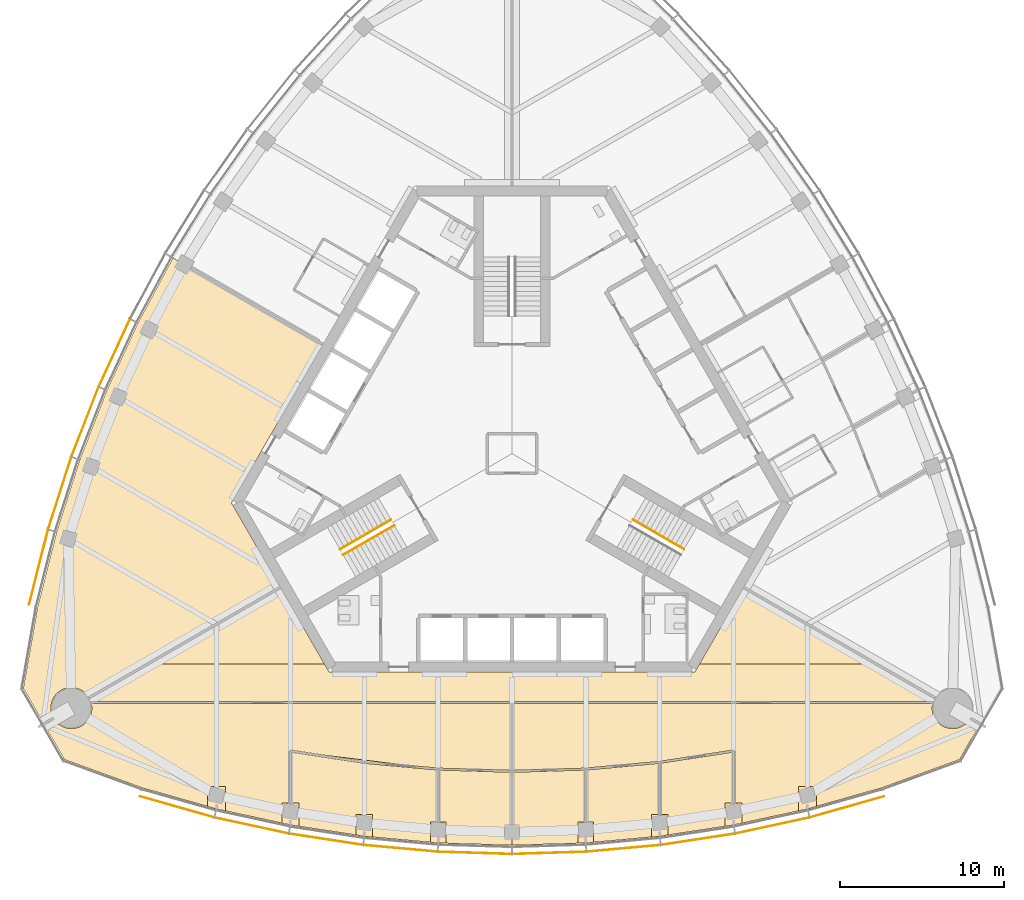
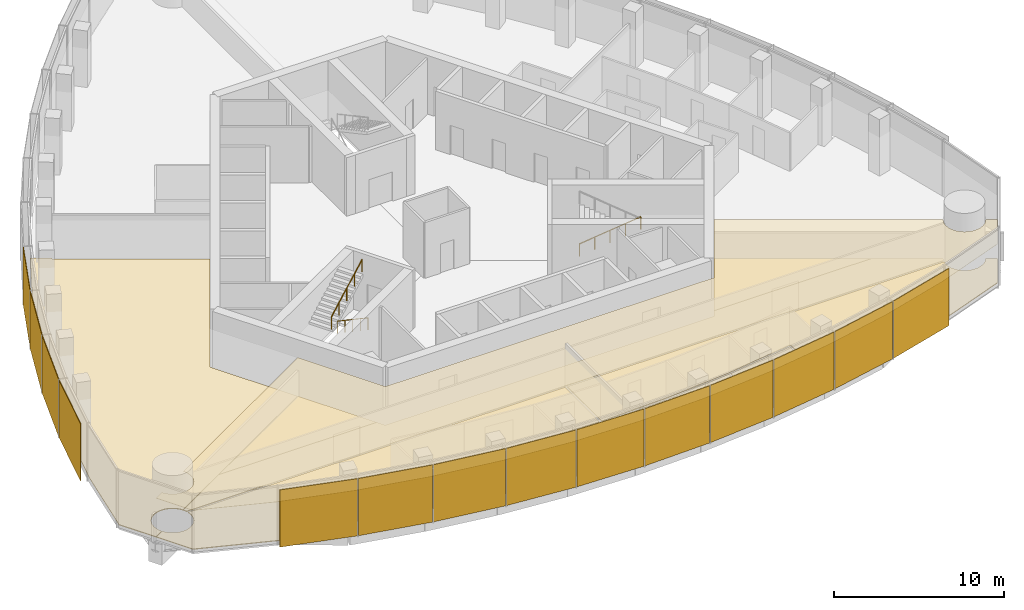
# One storey, part 12 of 16: 14 shading devices, 12 coverings, 3 railings.
"""IFC4 building model written with IfcOpenShell, lengths in metres."""

from ifc_helpers import new_model, si_unit, direction, frame, origin, origin_2d, place, context, subcontext, project, spatial, polyline, rectangle, circle, outline, extrude, material, layer, layer_set, type_object, element, save


model = new_model("IFC4")

# Units and contexts
model_context = context("Model", 3, precision=1e-05, world=origin(), true_north=direction((0.0, 1.0)))
body_context = subcontext(model_context, "Body", "Model", "MODEL_VIEW")
ifc_project = project(units=[si_unit("LENGTHUNIT", "METRE"), si_unit("AREAUNIT", "SQUARE_METRE"), si_unit("VOLUMEUNIT", "CUBIC_METRE"), si_unit("PLANEANGLEUNIT", "RADIAN"), si_unit("MASSUNIT", "GRAM", prefix="KILO")], contexts=[model_context])

# Site, building, storey
site_placement = place(None, origin())
site = spatial("IfcSite", under=ifc_project, at=site_placement, CompositionType="ELEMENT")
building_placement = place(site_placement, origin())
building = spatial("IfcBuilding", under=site, at=building_placement, Name="Trefoil Bronze Tower", CompositionType="ELEMENT")
storey_placement = place(building_placement, frame((0.0, 0.0, 318.300048828125)))
storey = spatial("IfcBuildingStorey", under=building, at=storey_placement, Name="L73", CompositionType="ELEMENT", Elevation=318.300048828125)

# Shading devices
ifc_material_1 = material(Name="Perforated bronze sheet", Category="bronze")
ifc_layer_1 = layer(ifc_material_1, 0.0400390625)
ifc_layer_set_1 = layer_set([ifc_layer_1], Name="Bronze solar screen panel")
shading_device_type = type_object("IfcShadingDeviceType", Name="Bronze solar screen panel", PredefinedType="SHUTTER", material=ifc_layer_set_1)
shading_device_1_placement = place(storey_placement, frame((-20.42138671875, -21.515625, 0.0498046875), z_axis=(0.0, 0.0, 1.0), x_axis=(0.962097746943, -0.272704831875, 0.0)))
element("IfcShadingDevice", 1, at=shading_device_1_placement, inside=storey, type_object=shading_device_type, Name="Solar screen CW-A L73 F1 bay 1", PredefinedType="SHUTTER", context=body_context, shape_type="SweptSolid", body=[
    extrude(rectangle(XDim=4.697509765625, YDim=0.0400390625, at=origin_2d()), origin(), (0.0, 0.0, 1.0), 4.10009765625),
])
shading_device_2_placement = place(storey_placement, frame((-15.864501953125, -22.65625, 0.0498046875), z_axis=(0.0, 0.0, 1.0), x_axis=(0.977303138829, -0.211845639168, 0.0)))
element("IfcShadingDevice", 2, at=shading_device_2_placement, inside=storey, type_object=shading_device_type, Name="Solar screen CW-A L73 F1 bay 2", PredefinedType="SHUTTER", context=body_context, shape_type="SweptSolid", body=[
    extrude(rectangle(XDim=4.574462890625, YDim=0.0400390625, at=origin_2d()), origin(), (0.0, 0.0, 1.0), 4.10009765625),
])
shading_device_3_placement = place(storey_placement, frame((-11.331787109375, -23.494384765625, 0.0498046875), z_axis=(0.0, 0.0, 1.0), x_axis=(0.988485337216, -0.151316681529, 0.0)))
element("IfcShadingDevice", 3, at=shading_device_3_placement, inside=storey, type_object=shading_device_type, Name="Solar screen CW-A L73 F1 bay 3", PredefinedType="SHUTTER", context=body_context, shape_type="SweptSolid", body=[
    extrude(rectangle(XDim=4.5224609375, YDim=0.0400390625, at=origin_2d()), origin(), (0.0, 0.0, 1.0), 4.10009765625),
])
shading_device_4_placement = place(storey_placement, frame((-6.799072265625, -24.048095703125, 0.0498046875), z_axis=(0.0, 0.0, 1.0), x_axis=(0.99587011625, -0.090789380212, 0.0)))
element("IfcShadingDevice", 4, at=shading_device_4_placement, inside=storey, type_object=shading_device_type, Name="Solar screen CW-A L73 F1 bay 4", PredefinedType="SHUTTER", context=body_context, shape_type="SweptSolid", body=[
    extrude(rectangle(XDim=4.48876953125, YDim=0.0400390625, at=origin_2d()), origin(), (0.0, 0.0, 1.0), 4.10009765625),
])
for number, where, z_axis, x_axis, name in (
    (5, (-2.266357421875, -24.3232421875, 0.0498046875), (0.0, 0.0, 1.0), (0.999541969785, -0.030263024264, 0.0), "Solar screen CW-A L73 F1 bay 5"),
    (6, (2.266357421875, -24.3232421875, 0.0498046875), (0.0, 0.0, 1.0), (0.999541969785, 0.030263024264, 0.0), "Solar screen CW-A L73 F1 bay 6"),
):
    element("IfcShadingDevice", number, at=place(storey_placement, frame(where, z_axis=z_axis, x_axis=x_axis)), inside=storey, type_object=shading_device_type, Name=name, PredefinedType="SHUTTER", context=body_context, shape_type="SweptSolid", body=[
        extrude(rectangle(XDim=4.47216796875, YDim=0.0400390625, at=origin_2d()), origin(), (0.0, 0.0, 1.0), 4.10009765625),
    ])
shading_device_5_placement = place(storey_placement, frame((6.799072265625, -24.048095703125, 0.0498046875), z_axis=(0.0, 0.0, 1.0), x_axis=(0.99587011625, 0.090789380212, 0.0)))
element("IfcShadingDevice", 7, at=shading_device_5_placement, inside=storey, type_object=shading_device_type, Name="Solar screen CW-A L73 F1 bay 7", PredefinedType="SHUTTER", context=body_context, shape_type="SweptSolid", body=[
    extrude(rectangle(XDim=4.48876953125, YDim=0.0400390625, at=origin_2d()), origin(), (0.0, 0.0, 1.0), 4.10009765625),
])
shading_device_6_placement = place(storey_placement, frame((11.331787109375, -23.494384765625, 0.0498046875), z_axis=(0.0, 0.0, 1.0), x_axis=(0.988485337216, 0.151316681529, 0.0)))
element("IfcShadingDevice", 8, at=shading_device_6_placement, inside=storey, type_object=shading_device_type, Name="Solar screen CW-A L73 F1 bay 8", PredefinedType="SHUTTER", context=body_context, shape_type="SweptSolid", body=[
    extrude(rectangle(XDim=4.5224609375, YDim=0.0400390625, at=origin_2d()), origin(), (0.0, 0.0, 1.0), 4.10009765625),
])
shading_device_7_placement = place(storey_placement, frame((15.864501953125, -22.65625, 0.0498046875), z_axis=(0.0, 0.0, 1.0), x_axis=(0.977303138829, 0.211845639168, 0.0)))
element("IfcShadingDevice", 9, at=shading_device_7_placement, inside=storey, type_object=shading_device_type, Name="Solar screen CW-A L73 F1 bay 9", PredefinedType="SHUTTER", context=body_context, shape_type="SweptSolid", body=[
    extrude(rectangle(XDim=4.574462890625, YDim=0.0400390625, at=origin_2d()), origin(), (0.0, 0.0, 1.0), 4.10009765625),
])
shading_device_8_placement = place(storey_placement, frame((20.42138671875, -21.515625, 0.0498046875), z_axis=(0.0, 0.0, 1.0), x_axis=(0.962097746943, 0.272704831875, 0.0)))
element("IfcShadingDevice", 10, at=shading_device_8_placement, inside=storey, type_object=shading_device_type, Name="Solar screen CW-A L73 F1 bay 10", PredefinedType="SHUTTER", context=body_context, shape_type="SweptSolid", body=[
    extrude(rectangle(XDim=4.697509765625, YDim=0.0400390625, at=origin_2d()), origin(), (0.0, 0.0, 1.0), 4.10009765625),
])
shading_device_9_placement = place(storey_placement, frame((-24.2255859375, 6.135986328125, 0.0498046875), z_axis=(0.0, 0.0, 1.0), x_axis=(-0.419309148468, -0.907843509649, 0.0)))
element("IfcShadingDevice", 11, at=shading_device_9_placement, inside=storey, type_object=shading_device_type, Name="Solar screen CW-A L73 F3 bay 7", PredefinedType="SHUTTER", context=body_context, shape_type="SweptSolid", body=[
    extrude(rectangle(XDim=4.48876953125, YDim=0.0400390625, at=origin_2d()), origin(), (0.0, 0.0, 1.0), 4.10009765625),
])
shading_device_10_placement = place(storey_placement, frame((-26.0126953125, 1.93359375, 0.0498046875), z_axis=(0.0, 0.0, 1.0), x_axis=(-0.363198578387, -0.931711754062, 0.0)))
element("IfcShadingDevice", 12, at=shading_device_10_placement, inside=storey, type_object=shading_device_type, Name="Solar screen CW-A L73 F3 bay 8", PredefinedType="SHUTTER", context=body_context, shape_type="SweptSolid", body=[
    extrude(rectangle(XDim=4.5224609375, YDim=0.0400390625, at=origin_2d()), origin(), (0.0, 0.0, 1.0), 4.10009765625),
])
shading_device_11_placement = place(storey_placement, frame((-27.55322265625, -2.410888671875, 0.0498046875), z_axis=(0.0, 0.0, 1.0), x_axis=(-0.305187864214, -0.952292165009, 0.0)))
element("IfcShadingDevice", 13, at=shading_device_11_placement, inside=storey, type_object=shading_device_type, Name="Solar screen CW-A L73 F3 bay 9", PredefinedType="SHUTTER", context=body_context, shape_type="SweptSolid", body=[
    extrude(rectangle(XDim=4.574462890625, YDim=0.0400390625, at=origin_2d()), origin(), (0.0, 0.0, 1.0), 4.10009765625),
])
shading_device_12_placement = place(storey_placement, frame((-28.843994140625, -6.927490234375, 0.0498046875), z_axis=(0.0, 0.0, 1.0), x_axis=(-0.244879561333, -0.969553505713, 0.0)))
element("IfcShadingDevice", 14, at=shading_device_12_placement, inside=storey, type_object=shading_device_type, Name="Solar screen CW-A L73 F3 bay 10", PredefinedType="SHUTTER", context=body_context, shape_type="SweptSolid", body=[
    extrude(rectangle(XDim=4.697509765625, YDim=0.0400390625, at=origin_2d()), origin(), (0.0, 0.0, 1.0), 4.10009765625),
])

# Railings
ifc_material_2 = material(Name="Steel handrail", Category="steel")
railing_type = type_object("IfcRailingType", Name="Handrail 900", PredefinedType="HANDRAIL", material=ifc_material_2)
railing_1_placement = place(storey_placement, frame((7.365966796875, -4.021728515625, 0.161376953125)))
element("IfcRailing", 15, at=railing_1_placement, inside=storey, type_object=railing_type, Name="Handrail ST1 flight 1 L73", PredefinedType="HANDRAIL", context=body_context, shape_type="SweptSolid", body=[
    extrude(circle(Radius=0.02392578125, at=origin_2d()), frame((0.0, 0.0, 0.8759765625), z_axis=(0.76250339821, -0.440245697338, 0.474101564745), x_axis=(0.500012057535, 0.866018442252, 0.0)), (0.0, 0.0, 1.0), 4.088623046875),
    extrude(circle(Radius=0.02099609375, at=origin_2d()), origin(), (0.0, 0.0, 1.0), 0.851806640625),
    extrude(circle(Radius=0.02099609375, at=origin_2d()), frame((0.779296875, -0.449951171875, 0.484619140625)), (0.0, 0.0, 1.0), 0.851806640625),
    extrude(circle(Radius=0.02099609375, at=origin_2d()), frame((1.558837890625, -0.89990234375, 0.96923828125)), (0.0, 0.0, 1.0), 0.851806640625),
    extrude(circle(Radius=0.02099609375, at=origin_2d()), frame((2.33837890625, -1.35009765625, 1.453857421875)), (0.0, 0.0, 1.0), 0.851806640625),
    extrude(circle(Radius=0.02099609375, at=origin_2d()), frame((3.11767578125, -1.800048828125, 1.9384765625)), (0.0, 0.0, 1.0), 0.851806640625),
])
railing_2_placement = place(storey_placement, frame((-7.166015625, -4.3681640625, 0.161376953125)))
element("IfcRailing", 16, at=railing_2_placement, inside=storey, type_object=railing_type, Name="Handrail ST3 flight 1 L73", PredefinedType="HANDRAIL", context=body_context, shape_type="SweptSolid", body=[
    extrude(circle(Radius=0.02392578125, at=origin_2d()), frame((0.0, 0.0, 0.8759765625), z_axis=(-0.76250339821, -0.440245697338, 0.474101564745), x_axis=(0.500012057535, -0.866018442252, 0.0)), (0.0, 0.0, 1.0), 4.088623046875),
    extrude(circle(Radius=0.02099609375, at=origin_2d()), origin(), (0.0, 0.0, 1.0), 0.851806640625),
    extrude(circle(Radius=0.02099609375, at=origin_2d()), frame((-0.779296875, -0.449951171875, 0.484619140625)), (0.0, 0.0, 1.0), 0.851806640625),
    extrude(circle(Radius=0.02099609375, at=origin_2d()), frame((-1.558837890625, -0.89990234375, 0.96923828125)), (0.0, 0.0, 1.0), 0.851806640625),
    extrude(circle(Radius=0.02099609375, at=origin_2d()), frame((-2.33837890625, -1.35009765625, 1.453857421875)), (0.0, 0.0, 1.0), 0.851806640625),
    extrude(circle(Radius=0.02099609375, at=origin_2d()), frame((-3.11767578125, -1.800048828125, 1.9384765625)), (0.0, 0.0, 1.0), 0.851806640625),
])
railing_3_placement = place(storey_placement, frame((-10.483642578125, -5.82177734375, 2.261474609375)))
element("IfcRailing", 17, at=railing_3_placement, inside=storey, type_object=railing_type, Name="Handrail ST3 flight 2 L73", PredefinedType="HANDRAIL", context=body_context, shape_type="SweptSolid", body=[
    extrude(circle(Radius=0.02392578125, at=origin_2d()), frame((0.0, 0.0, 0.8759765625), z_axis=(0.76250339821, 0.440245697338, 0.474101564745), x_axis=(-0.500012057535, 0.866018442252, 0.0)), (0.0, 0.0, 1.0), 4.088623046875),
    extrude(circle(Radius=0.02099609375, at=origin_2d()), origin(), (0.0, 0.0, 1.0), 0.851806640625),
    extrude(circle(Radius=0.02099609375, at=origin_2d()), frame((0.779296875, 0.449951171875, 0.484619140625)), (0.0, 0.0, 1.0), 0.851806640625),
    extrude(circle(Radius=0.02099609375, at=origin_2d()), frame((1.558837890625, 0.89990234375, 0.96923828125)), (0.0, 0.0, 1.0), 0.851806640625),
    extrude(circle(Radius=0.02099609375, at=origin_2d()), frame((2.33837890625, 1.35009765625, 1.453857421875)), (0.0, 0.0, 1.0), 0.851806640625),
    extrude(circle(Radius=0.02099609375, at=origin_2d()), frame((3.11767578125, 1.800048828125, 1.9384765625)), (0.0, 0.0, 1.0), 0.851806640625),
])

# Coverings
ifc_material_3 = material(Name="Acoustic ceiling panels", Category="mineral fibre")
ifc_layer_2 = layer(ifc_material_3, 0.02001953125)
ifc_layer_set_2 = layer_set([ifc_layer_2], Name="Office ceiling 20")
covering_type_1 = type_object("IfcCoveringType", Name="Office ceiling 20", PredefinedType="CEILING", material=ifc_layer_set_2)
covering_1_placement = place(storey_placement, frame((0.0, 0.0, 2.89990234375)))
element("IfcCovering", 18, at=covering_1_placement, inside=storey, type_object=covering_type_1, Name="Ceiling L73 Lounge F1", PredefinedType="CEILING", context=body_context, shape_type="SweptSolid", body=[
    extrude(outline(polyline([(-27.885986328125, -16.194580078125), (-27.850830078125, -16.24462890625), (-27.81298828125, -16.29296875), (-27.77294921875, -16.33935546875), (-27.730712890625, -16.3837890625), (-27.686279296875, -16.42626953125), (-27.639892578125, -16.46630859375), (-27.59130859375, -16.50390625), (-27.541259765625, -16.539306640625), (-27.489501953125, -16.572265625), (-27.43603515625, -16.602294921875), (-27.381103515625, -16.6298828125), (-27.3251953125, -16.65478515625), (-27.267822265625, -16.677001953125), (-27.209716796875, -16.6962890625), (-27.150390625, -16.71240234375), (-27.0908203125, -16.72607421875), (-27.0302734375, -16.736572265625), (-26.96923828125, -16.743896484375), (-26.908203125, -16.74853515625), (-26.8466796875, -16.75), (-26.785400390625, -16.74853515625), (-26.724365234375, -16.743896484375), (-26.663330078125, -16.736572265625), (-26.602783203125, -16.72607421875), (-26.543212890625, -16.71240234375), (-26.48388671875, -16.6962890625), (-26.42578125, -16.677001953125), (-26.368408203125, -16.65478515625), (-26.312255859375, -16.6298828125), (-26.257568359375, -16.602294921875), (-26.2041015625, -16.572265625), (-26.15234375, -16.539306640625), (-26.102294921875, -16.50390625), (-26.0537109375, -16.46630859375), (-26.00732421875, -16.42626953125), (-25.962890625, -16.3837890625), (-25.920654296875, -16.33935546875), (-25.880615234375, -16.29296875), (-25.8427734375, -16.24462890625), (-25.8076171875, -16.194580078125), (-25.774658203125, -16.142578125), (-25.744384765625, -16.089111328125), (-25.716796875, -16.034423828125), (-25.69189453125, -15.978515625), (-25.669921875, -15.921142578125), (-25.650634765625, -15.86279296875), (-25.63427734375, -15.8037109375), (-25.620849609375, -15.743896484375), (-25.6103515625, -15.683349609375), (-25.602783203125, -15.62255859375), (-25.598388671875, -15.561279296875), (-25.5966796875, -15.5), (-25.598388671875, -15.438720703125), (-25.602783203125, -15.37744140625), (-25.6103515625, -15.316650390625), (-25.620849609375, -15.256103515625), (-25.63427734375, -15.1962890625), (-25.650634765625, -15.13720703125), (-25.669921875, -15.078857421875), (-25.69189453125, -15.021484375), (-25.716796875, -14.965576171875), (-25.759033203125, -14.885009765625), (-14.11328125, -8.1552734375), (-11.142822265625, -13.300048828125), (11.142822265625, -13.300048828125), (14.11328125, -8.1552734375), (25.759033203125, -14.885009765625), (25.716796875, -14.965576171875), (25.69189453125, -15.021484375), (25.669921875, -15.078857421875), (25.650634765625, -15.13720703125), (25.63427734375, -15.1962890625), (25.620849609375, -15.256103515625), (25.6103515625, -15.316650390625), (25.602783203125, -15.37744140625), (25.598388671875, -15.438720703125), (25.5966796875, -15.5), (25.598388671875, -15.561279296875), (25.602783203125, -15.62255859375), (25.6103515625, -15.683349609375), (25.620849609375, -15.743896484375), (25.63427734375, -15.8037109375), (25.650634765625, -15.86279296875), (25.669921875, -15.921142578125), (25.69189453125, -15.978515625), (25.716796875, -16.034423828125), (25.744384765625, -16.089111328125), (25.774658203125, -16.142578125), (25.8076171875, -16.194580078125), (25.8427734375, -16.24462890625), (25.880615234375, -16.29296875), (25.920654296875, -16.33935546875), (25.962890625, -16.3837890625), (26.00732421875, -16.42626953125), (26.0537109375, -16.46630859375), (26.102294921875, -16.50390625), (26.15234375, -16.539306640625), (26.2041015625, -16.572265625), (26.257568359375, -16.602294921875), (26.312255859375, -16.6298828125), (26.368408203125, -16.65478515625), (26.42578125, -16.677001953125), (26.48388671875, -16.6962890625), (26.543212890625, -16.71240234375), (26.602783203125, -16.72607421875), (26.663330078125, -16.736572265625), (26.724365234375, -16.743896484375), (26.785400390625, -16.74853515625), (26.8466796875, -16.75), (26.908203125, -16.74853515625), (26.96923828125, -16.743896484375), (27.0302734375, -16.736572265625), (27.0908203125, -16.72607421875), (27.150390625, -16.71240234375), (27.209716796875, -16.6962890625), (27.267822265625, -16.677001953125), (27.3251953125, -16.65478515625), (27.381103515625, -16.6298828125), (27.43603515625, -16.602294921875), (27.489501953125, -16.572265625), (27.541259765625, -16.539306640625), (27.59130859375, -16.50390625), (27.639892578125, -16.46630859375), (27.686279296875, -16.42626953125), (27.730712890625, -16.3837890625), (27.77294921875, -16.33935546875), (27.81298828125, -16.29296875), (27.850830078125, -16.24462890625), (27.885986328125, -16.194580078125), (27.923095703125, -16.135498046875), (28.510009765625, -16.474609375), (27.26220703125, -18.635986328125), (22.54833984375, -20.3515625), (18.0, -21.640869140625), (13.5, -22.6162109375), (9.0, -23.30517578125), (4.5, -23.71533203125), (0.0, -23.8515625), (-4.5, -23.71533203125), (-9.0, -23.30517578125), (-13.5, -22.6162109375), (-18.0, -21.640869140625), (-22.54833984375, -20.3515625), (-27.26220703125, -18.635986328125), (-28.510009765625, -16.474609375), (-27.923095703125, -16.135498046875), (-27.885986328125, -16.194580078125)])), origin(), (0.0, 0.0, 1.0), 0.02001953125),
])
ifc_material_4 = material(Name="Raised access floor panels", Category="steel")
ifc_layer_3 = layer(ifc_material_4, 0.050048828125)
ifc_layer_set_3 = layer_set([ifc_layer_3], Name="Raised access floor 150")
covering_type_2 = type_object("IfcCoveringType", Name="Raised access floor 150", PredefinedType="FLOORING", material=ifc_layer_set_3)
covering_2_placement = place(storey_placement, frame((0.0, 0.0, 0.099853515625)))
element("IfcCovering", 19, at=covering_2_placement, inside=storey, type_object=covering_type_2, Name="Raised floor L73 Library lounge F1", PredefinedType="FLOORING", context=body_context, shape_type="SweptSolid", body=[
    extrude(outline(polyline([(-8.497802734375, -23.350830078125), (-8.497802734375, -21.996826171875), (-9.502197265625, -21.996826171875), (-9.502197265625, -23.228271484375), (-12.974609375, -22.69677734375), (-12.974609375, -21.27734375), (-13.43994140625, -21.27734375), (-13.43994140625, -18.18603515625), (-9.009033203125, -18.864501953125), (-9.0, -18.80517578125), (-9.00537109375, -18.864990234375), (-4.56005859375, -19.27001953125), (-4.56005859375, -22.43310546875), (-4.5, -22.43310546875), (-4.5, -22.436279296875), (-4.9775390625, -22.436279296875), (-4.9775390625, -23.671875), (-8.497802734375, -23.350830078125)])), origin(), (0.0, 0.0, 1.0), 0.050048828125),
])
covering_3_placement = place(storey_placement, frame((0.0, 0.0, 0.099853515625)))
element("IfcCovering", 20, at=covering_3_placement, inside=storey, type_object=covering_type_2, Name="Raised floor L73 Members' office F1", PredefinedType="FLOORING", context=body_context, shape_type="SweptSolid", body=[
    extrude(outline(polyline([(-4.5, -22.43310546875), (-4.43994140625, -22.43310546875), (-4.43994140625, -19.277099609375), (-0.074951171875, -19.409423828125), (-0.074951171875, -22.571533203125), (0.0, -22.571533203125), (0.0, -23.8515625), (-4.0224609375, -23.729736328125), (-4.0224609375, -22.436279296875), (-4.5, -22.436279296875), (-4.5, -22.43310546875)])), origin(), (0.0, 0.0, 1.0), 0.050048828125),
])
covering_4_placement = place(storey_placement, frame((0.0, 0.0, 0.099853515625)))
element("IfcCovering", 21, at=covering_4_placement, inside=storey, type_object=covering_type_2, Name="Raised floor L73 Members' office F1", PredefinedType="FLOORING", context=body_context, shape_type="SweptSolid", body=[
    extrude(outline(polyline([(0.0, -22.571533203125), (0.074951171875, -22.571533203125), (0.074951171875, -19.409423828125), (4.43994140625, -19.277099609375), (4.43994140625, -22.43310546875), (4.5, -22.43310546875), (4.5, -22.436279296875), (4.0224609375, -22.436279296875), (4.0224609375, -23.729736328125), (0.0, -23.8515625), (0.0, -22.571533203125)])), origin(), (0.0, 0.0, 1.0), 0.050048828125),
])
covering_5_placement = place(storey_placement, frame((0.0, 0.0, 0.099853515625)))
element("IfcCovering", 22, at=covering_5_placement, inside=storey, type_object=covering_type_2, Name="Raised floor L73 Members' office F1", PredefinedType="FLOORING", context=body_context, shape_type="SweptSolid", body=[
    extrude(outline(polyline([(4.5, -22.43310546875), (4.56005859375, -22.43310546875), (4.56005859375, -19.27001953125), (8.93994140625, -18.870849609375), (8.93994140625, -21.996826171875), (8.497802734375, -21.996826171875), (8.497802734375, -23.350830078125), (4.9775390625, -23.671875), (4.9775390625, -22.436279296875), (4.5, -22.436279296875), (4.5, -22.43310546875)])), origin(), (0.0, 0.0, 1.0), 0.050048828125),
])
covering_6_placement = place(storey_placement, frame((0.0, 0.0, 0.099853515625)))
element("IfcCovering", 23, at=covering_6_placement, inside=storey, type_object=covering_type_2, Name="Raised floor L73 Meeting room F1", PredefinedType="FLOORING", context=body_context, shape_type="SweptSolid", body=[
    extrude(outline(polyline([(9.06005859375, -18.856689453125), (13.43994140625, -18.18603515625), (13.43994140625, -21.27734375), (12.974609375, -21.27734375), (12.974609375, -22.69677734375), (9.502197265625, -23.228271484375), (9.502197265625, -21.996826171875), (9.06005859375, -21.996826171875), (9.06005859375, -18.856689453125)])), origin(), (0.0, 0.0, 1.0), 0.050048828125),
])
covering_7_placement = place(storey_placement, frame((0.0, 0.0, 0.099853515625)))
element("IfcCovering", 24, at=covering_7_placement, inside=storey, type_object=covering_type_2, Name="Raised floor L73 Corridor F1", PredefinedType="FLOORING", context=body_context, shape_type="SweptSolid", body=[
    extrude(outline(polyline([(-25.759033203125, -14.885009765625), (-22.151123046875, -12.800048828125), (-11.431396484375, -12.800048828125), (-11.142822265625, -13.300048828125), (11.142822265625, -13.300048828125), (11.431396484375, -12.800048828125), (22.151123046875, -12.800048828125), (25.759033203125, -14.885009765625), (25.716796875, -14.965576171875), (25.69189453125, -15.021484375), (25.662841796875, -15.10009765625), (-25.662841796875, -15.10009765625), (-25.69189453125, -15.021484375), (-25.716796875, -14.965576171875), (-25.759033203125, -14.885009765625)])), origin(), (0.0, 0.0, 1.0), 0.050048828125),
])
covering_8_placement = place(storey_placement, frame((0.0, 0.0, 0.099853515625)))
element("IfcCovering", 25, at=covering_8_placement, inside=storey, type_object=covering_type_2, Name="Raised floor L73 Lounge F1", PredefinedType="FLOORING", context=body_context, shape_type="SweptSolid", body=[
    extrude(outline(polyline([(13.56005859375, -18.1162109375), (13.5, -18.1162109375), (13.490966796875, -18.056884765625), (8.99267578125, -18.74560546875), (4.496337890625, -19.155517578125), (0.074951171875, -19.289306640625), (0.074951171875, -15.219970703125), (25.62890625, -15.219970703125), (25.620849609375, -15.256103515625), (25.6103515625, -15.316650390625), (25.602783203125, -15.37744140625), (25.598388671875, -15.438720703125), (25.5966796875, -15.5), (25.598388671875, -15.561279296875), (25.602783203125, -15.62255859375), (25.6103515625, -15.683349609375), (25.620849609375, -15.743896484375), (25.63427734375, -15.8037109375), (25.650634765625, -15.86279296875), (25.669921875, -15.921142578125), (25.69189453125, -15.978515625), (25.716796875, -16.034423828125), (25.744384765625, -16.089111328125), (25.774658203125, -16.142578125), (25.8076171875, -16.194580078125), (25.8427734375, -16.24462890625), (25.880615234375, -16.29296875), (25.920654296875, -16.33935546875), (25.962890625, -16.3837890625), (26.00732421875, -16.42626953125), (26.0537109375, -16.46630859375), (26.102294921875, -16.50390625), (26.15234375, -16.539306640625), (26.2041015625, -16.572265625), (26.257568359375, -16.602294921875), (26.312255859375, -16.6298828125), (26.368408203125, -16.65478515625), (26.42578125, -16.677001953125), (26.48388671875, -16.6962890625), (26.543212890625, -16.71240234375), (26.602783203125, -16.72607421875), (26.663330078125, -16.736572265625), (26.724365234375, -16.743896484375), (26.785400390625, -16.74853515625), (26.8466796875, -16.75), (26.908203125, -16.74853515625), (26.96923828125, -16.743896484375), (27.0302734375, -16.736572265625), (27.0908203125, -16.72607421875), (27.150390625, -16.71240234375), (27.209716796875, -16.6962890625), (27.267822265625, -16.677001953125), (27.3251953125, -16.65478515625), (27.381103515625, -16.6298828125), (27.43603515625, -16.602294921875), (27.489501953125, -16.572265625), (27.541259765625, -16.539306640625), (27.59130859375, -16.50390625), (27.639892578125, -16.46630859375), (27.686279296875, -16.42626953125), (27.730712890625, -16.3837890625), (27.77294921875, -16.33935546875), (27.81298828125, -16.29296875), (27.850830078125, -16.24462890625), (27.885986328125, -16.194580078125), (27.923095703125, -16.135498046875), (28.510009765625, -16.474609375), (27.26220703125, -18.635986328125), (22.54833984375, -20.3515625), (18.546875, -21.48583984375), (18.546875, -20.269287109375), (17.453125, -20.269287109375), (17.453125, -21.75927734375), (14.025390625, -22.50244140625), (14.025390625, -21.27734375), (13.56005859375, -21.27734375), (13.56005859375, -18.1162109375)])), origin(), (0.0, 0.0, 1.0), 0.050048828125),
])
covering_9_placement = place(storey_placement, frame((0.0, 0.0, 0.099853515625)))
element("IfcCovering", 26, at=covering_9_placement, inside=storey, type_object=covering_type_2, Name="Raised floor L73 Lounge F1", PredefinedType="FLOORING", context=body_context, shape_type="SweptSolid", body=[
    extrude(outline(polyline([(-25.602783203125, -15.37744140625), (-25.6103515625, -15.316650390625), (-25.620849609375, -15.256103515625), (-25.62890625, -15.219970703125), (-0.074951171875, -15.219970703125), (-0.074951171875, -19.289306640625), (-4.496337890625, -19.155517578125), (-6.4462890625, -18.977783203125), (-11.539306640625, -18.355712890625), (-13.490966796875, -18.056884765625), (-13.5, -18.1162109375), (-13.56005859375, -18.1162109375), (-13.56005859375, -21.27734375), (-14.025390625, -21.27734375), (-14.025390625, -22.50244140625), (-17.453125, -21.75927734375), (-17.453125, -20.269287109375), (-18.546875, -20.269287109375), (-18.546875, -21.48583984375), (-22.54833984375, -20.3515625), (-27.26220703125, -18.635986328125), (-28.510009765625, -16.474609375), (-27.923095703125, -16.135498046875), (-27.885986328125, -16.194580078125), (-27.850830078125, -16.24462890625), (-27.81298828125, -16.29296875), (-27.77294921875, -16.33935546875), (-27.730712890625, -16.3837890625), (-27.686279296875, -16.42626953125), (-27.639892578125, -16.46630859375), (-27.59130859375, -16.50390625), (-27.541259765625, -16.539306640625), (-27.489501953125, -16.572265625), (-27.43603515625, -16.602294921875), (-27.381103515625, -16.6298828125), (-27.3251953125, -16.65478515625), (-27.267822265625, -16.677001953125), (-27.209716796875, -16.6962890625), (-27.150390625, -16.71240234375), (-27.0908203125, -16.72607421875), (-27.0302734375, -16.736572265625), (-26.96923828125, -16.743896484375), (-26.908203125, -16.74853515625), (-26.8466796875, -16.75), (-26.785400390625, -16.74853515625), (-26.724365234375, -16.743896484375), (-26.663330078125, -16.736572265625), (-26.602783203125, -16.72607421875), (-26.543212890625, -16.71240234375), (-26.48388671875, -16.6962890625), (-26.42578125, -16.677001953125), (-26.368408203125, -16.65478515625), (-26.312255859375, -16.6298828125), (-26.257568359375, -16.602294921875), (-26.2041015625, -16.572265625), (-26.15234375, -16.539306640625), (-26.102294921875, -16.50390625), (-26.0537109375, -16.46630859375), (-26.00732421875, -16.42626953125), (-25.962890625, -16.3837890625), (-25.920654296875, -16.33935546875), (-25.880615234375, -16.29296875), (-25.8427734375, -16.24462890625), (-25.8076171875, -16.194580078125), (-25.774658203125, -16.142578125), (-25.744384765625, -16.089111328125), (-25.716796875, -16.034423828125), (-25.69189453125, -15.978515625), (-25.669921875, -15.921142578125), (-25.650634765625, -15.86279296875), (-25.63427734375, -15.8037109375), (-25.620849609375, -15.743896484375), (-25.6103515625, -15.683349609375), (-25.602783203125, -15.62255859375), (-25.598388671875, -15.561279296875), (-25.5966796875, -15.5), (-25.598388671875, -15.438720703125), (-25.602783203125, -15.37744140625)])), origin(), (0.0, 0.0, 1.0), 0.050048828125),
])
covering_10_placement = place(storey_placement, frame((0.0, 0.0, 0.099853515625)))
element("IfcCovering", 27, at=covering_10_placement, inside=storey, type_object=covering_type_2, Name="Raised floor L73 Lounge F1", PredefinedType="FLOORING", context=body_context, shape_type="SweptSolid", body=[
    extrude(outline(polyline([(14.11328125, -8.1552734375), (22.151123046875, -12.800048828125), (11.431396484375, -12.800048828125), (14.11328125, -8.1552734375)])), origin(), (0.0, 0.0, 1.0), 0.050048828125),
])
covering_11_placement = place(storey_placement, frame((0.0, 0.0, 0.099853515625)))
element("IfcCovering", 28, at=covering_11_placement, inside=storey, type_object=covering_type_2, Name="Raised floor L73 Lounge F1", PredefinedType="FLOORING", context=body_context, shape_type="SweptSolid", body=[
    extrude(outline(polyline([(-22.151123046875, -12.800048828125), (-14.11328125, -8.1552734375), (-11.431396484375, -12.800048828125), (-22.151123046875, -12.800048828125)])), origin(), (0.0, 0.0, 1.0), 0.050048828125),
])
covering_12_placement = place(storey_placement, frame((0.0, 0.0, 0.099853515625)))
element("IfcCovering", 29, at=covering_12_placement, inside=storey, type_object=covering_type_2, Name="Raised floor L73 Quiet lounge F3", PredefinedType="FLOORING", context=body_context, shape_type="SweptSolid", body=[
    extrude(outline(polyline([(-24.682861328125, 3.8583984375), (-22.7880859375, 7.960693359375), (-20.656494140625, 11.9248046875), (-19.548095703125, 11.284912109375), (-19.585205078125, 11.220703125), (-11.564208984375, 6.590087890625), (-11.52734375, 6.654052734375), (-11.5185546875, 6.649169921875), (-17.089599609375, -3.0), (-14.119384765625, -8.144775390625), (-25.77001953125, -14.865478515625), (-25.8076171875, -14.805419921875), (-25.8427734375, -14.75537109375), (-25.880615234375, -14.70703125), (-25.920654296875, -14.66064453125), (-25.962890625, -14.6162109375), (-26.00732421875, -14.57373046875), (-26.0537109375, -14.53369140625), (-26.102294921875, -14.49609375), (-26.15234375, -14.460693359375), (-26.2041015625, -14.427734375), (-26.257568359375, -14.397705078125), (-26.312255859375, -14.3701171875), (-26.368408203125, -14.34521484375), (-26.42578125, -14.322998046875), (-26.48388671875, -14.3037109375), (-26.543212890625, -14.28759765625), (-26.602783203125, -14.27392578125), (-26.663330078125, -14.263427734375), (-26.724365234375, -14.256103515625), (-26.785400390625, -14.25146484375), (-26.8466796875, -14.25), (-26.908203125, -14.25146484375), (-26.96923828125, -14.256103515625), (-27.0302734375, -14.263427734375), (-27.0908203125, -14.27392578125), (-27.150390625, -14.28759765625), (-27.209716796875, -14.3037109375), (-27.267822265625, -14.322998046875), (-27.3251953125, -14.34521484375), (-27.381103515625, -14.3701171875), (-27.43603515625, -14.397705078125), (-27.489501953125, -14.427734375), (-27.541259765625, -14.460693359375), (-27.59130859375, -14.49609375), (-27.639892578125, -14.53369140625), (-27.686279296875, -14.57373046875), (-27.730712890625, -14.6162109375), (-27.77294921875, -14.66064453125), (-27.81298828125, -14.70703125), (-27.850830078125, -14.75537109375), (-27.885986328125, -14.805419921875), (-27.9189453125, -14.857421875), (-27.94921875, -14.910888671875), (-27.976806640625, -14.965576171875), (-28.001708984375, -15.021484375), (-28.023681640625, -15.078857421875), (-28.04296875, -15.13720703125), (-28.059326171875, -15.1962890625), (-28.07275390625, -15.256103515625), (-28.083251953125, -15.316650390625), (-28.0908203125, -15.37744140625), (-28.09521484375, -15.438720703125), (-28.0966796875, -15.5), (-28.09521484375, -15.561279296875), (-28.0908203125, -15.62255859375), (-28.083251953125, -15.683349609375), (-28.07275390625, -15.743896484375), (-28.059326171875, -15.8037109375), (-28.04296875, -15.86279296875), (-28.023681640625, -15.921142578125), (-28.001708984375, -15.978515625), (-27.976806640625, -16.034423828125), (-27.93505859375, -16.1142578125), (-28.522216796875, -16.453125), (-29.770263671875, -14.291748046875), (-28.899169921875, -9.3515625), (-27.741455078125, -4.76806640625), (-26.336181640625, -0.38330078125), (-24.682861328125, 3.8583984375)])), origin(), (0.0, 0.0, 1.0), 0.050048828125),
])

save(model, "model.ifc")
